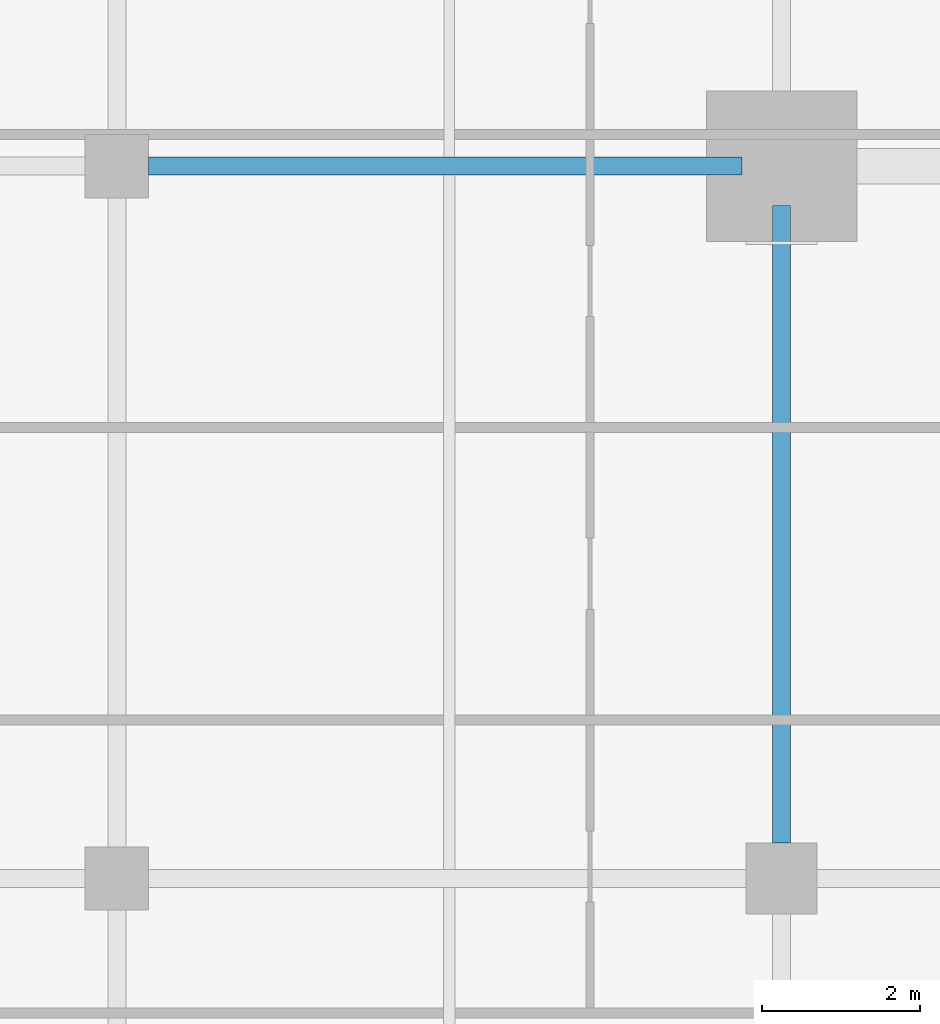
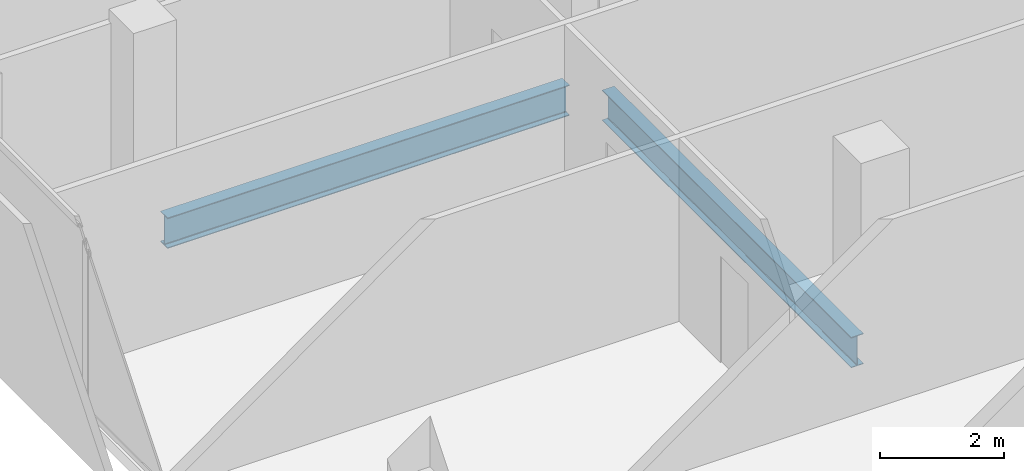
# One storey, part 9 of 34: 2 beams.
"""IFC4 building model written with IfcOpenShell, lengths in metres."""

from ifc_helpers import new_model, si_unit, direction, frame, origin, origin_2d, place, context, subcontext, project, spatial, i_section, extrude, material, material_profile, profile_set, type_object, element, save


model = new_model("IFC4")

# Units and contexts
model_context = context("Model", 3, precision=1e-05, world=origin(), true_north=direction((0.0, 1.0)))
body_context = subcontext(model_context, "Body", "Model", "MODEL_VIEW")
ifc_project = project(units=[si_unit("LENGTHUNIT", "METRE"), si_unit("AREAUNIT", "SQUARE_METRE"), si_unit("VOLUMEUNIT", "CUBIC_METRE"), si_unit("PLANEANGLEUNIT", "RADIAN"), si_unit("MASSUNIT", "GRAM", prefix="KILO")], contexts=[model_context])

# Site, building, storey
site_placement = place(None, origin())
site = spatial("IfcSite", under=ifc_project, at=site_placement, CompositionType="ELEMENT")
building_placement = place(site_placement, origin())
building = spatial("IfcBuilding", under=site, at=building_placement, Name="Maruvema Waterfront Hotel and Observation Tower", CompositionType="ELEMENT")
storey_placement = place(building_placement, frame((0.0, 0.0, 185.14990234375)))
storey = spatial("IfcBuildingStorey", under=building, at=storey_placement, Name="L45", CompositionType="ELEMENT", Elevation=185.14990234375)

# Beams
ifc_material = material(Name="Steel ASTM A572 Grade 50", Category="steel")
ifc_material_profile = material_profile(ifc_material, i_section(OverallWidth=0.22802734375, OverallDepth=0.60302734375, WebThickness=0.010498046875, FlangeThickness=0.014892578125, FilletRadius=0.01806640625, at=origin_2d()), Name="W610x101.0")
ifc_profile_set = profile_set([ifc_material_profile], Name="Steel ASTM A572 Grade 50")
beam_type = type_object("IfcBeamType", Name="Primary Floor Girder W610x101.0", PredefinedType="BEAM", material=ifc_profile_set)
beam_1_placement = place(storey_placement, frame((17.199951171875, 27.0, -0.54150390625), z_axis=(1.0, 0.0, 0.0), x_axis=(0.0, 1.0, 0.0)))
element("IfcBeam", 1, at=beam_1_placement, inside=storey, type_object=beam_type, Name="L45 Floor Girder EW-19", PredefinedType="BEAM", context=body_context, shape_type="SweptSolid", body=[
    extrude(i_section(OverallWidth=0.22802734375, OverallDepth=0.60302734375, WebThickness=0.010498046875, FlangeThickness=0.014892578125, FilletRadius=0.01806640625, at=origin_2d()), origin(), (0.0, 0.0, 1.0), 7.5),
])
beam_2_placement = place(storey_placement, frame((25.199951171875, 18.449951171875, -0.54150390625), z_axis=(0.0, 1.0, 0.0), x_axis=(-1.0, 0.0, 0.0)))
element("IfcBeam", 2, at=beam_2_placement, inside=storey, type_object=beam_type, Name="L45 Floor Girder NS-11", PredefinedType="BEAM", context=body_context, shape_type="SweptSolid", body=[
    extrude(i_section(OverallWidth=0.22802734375, OverallDepth=0.60302734375, WebThickness=0.010498046875, FlangeThickness=0.014892578125, FilletRadius=0.01806640625, at=origin_2d()), origin(), (0.0, 0.0, 1.0), 8.050048828125),
])

save(model, "model.ifc")
